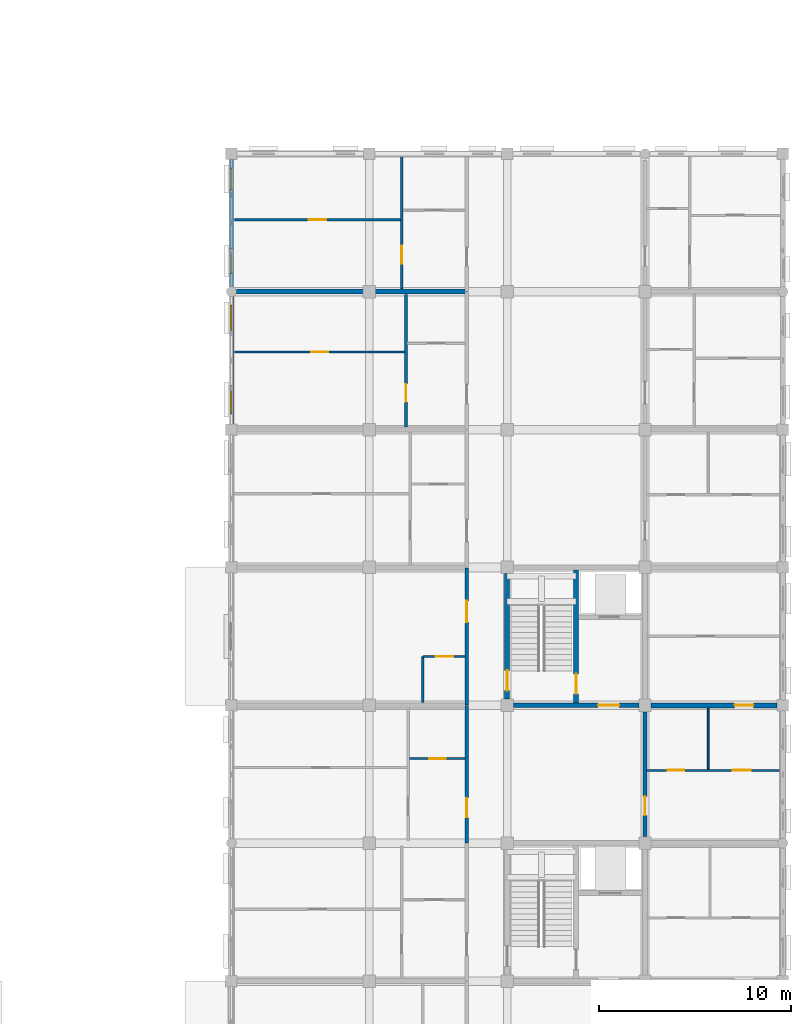
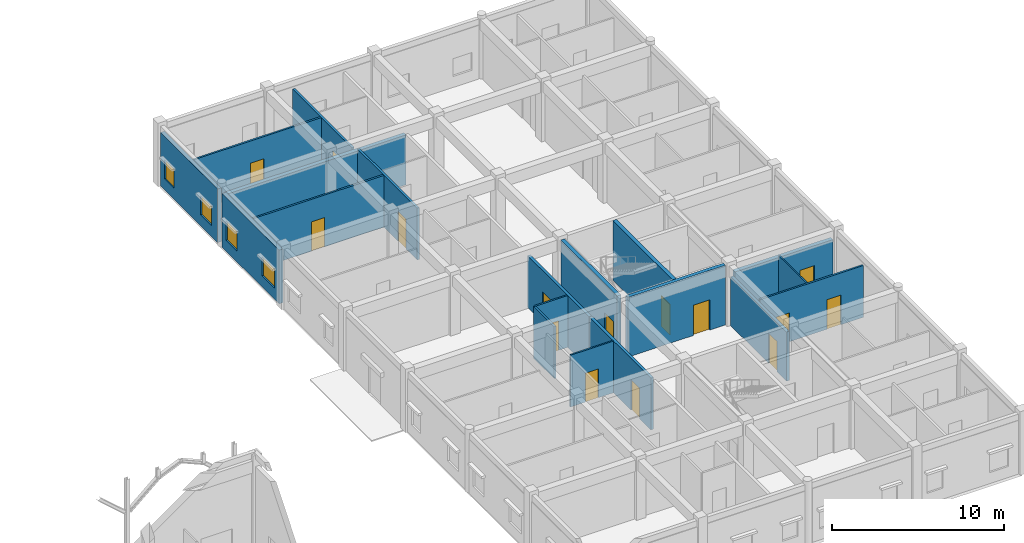
# One storey, part 112 of 138: 19 walls, 15 doors, 4 windows, 19 openings.
"""IFC4 building model written with IfcOpenShell, lengths in metres."""

from ifc_helpers import new_model, si_unit, direction, frame, frame_2d, origin, place, context, subcontext, project, spatial, rectangle, extrude, material, layer, layer_set, type_object, element, fill, save


model = new_model("IFC4")

# Units and contexts
model_context = context("Model", 3, precision=1e-05, world=origin(), true_north=direction((0.0, 1.0)))
body_context = subcontext(model_context, "Body", "Model", "MODEL_VIEW")
ifc_project = project(units=[si_unit("LENGTHUNIT", "METRE"), si_unit("AREAUNIT", "SQUARE_METRE"), si_unit("VOLUMEUNIT", "CUBIC_METRE"), si_unit("PLANEANGLEUNIT", "RADIAN"), si_unit("MASSUNIT", "GRAM", prefix="KILO"), si_unit("THERMODYNAMICTEMPERATUREUNIT", "KELVIN"), si_unit("POWERUNIT", "WATT")], contexts=[model_context])

# Site, building, storey
site_placement = place(None, origin())
site = spatial("IfcSite", under=ifc_project, at=site_placement, CompositionType="ELEMENT")
building_placement = place(site_placement, origin())
building = spatial("IfcBuilding", under=site, at=building_placement, Name="Tavuni Mirador Residences", CompositionType="ELEMENT")
storey_placement = place(building_placement, origin())
storey = spatial("IfcBuildingStorey", under=building, at=storey_placement, Name="L00", CompositionType="ELEMENT", Elevation=0.0)

# Wall, opening, door
ifc_material_1 = material(Name="Precast concrete C40/50", Category="concrete")
ifc_layer_1 = layer(ifc_material_1, 0.25, Name="Precast concrete C40/50", Category="concrete")
ifc_layer_set_1 = layer_set([ifc_layer_1], Name="Precast concrete C40/50")
wall_type_1 = type_object("IfcWallType", Name="WT-COR250", PredefinedType="SHEAR", material=ifc_layer_set_1)
wall_1_placement = place(storey_placement, frame((104.39990234375, 108.324951171875, 0.0), z_axis=(0.0, 0.0, 1.0), x_axis=(0.0, 1.0, 0.0)))
wall_1 = element("IfcWall", 1, at=wall_1_placement, inside=storey, type_object=wall_type_1, Name="CWALL-C8-L00-W", PredefinedType="SHEAR", context=body_context, shape_type="SweptSolid", body=[
    extrude(rectangle(XDim=6.550048828125, YDim=0.25, at=frame_2d((3.27490234375, 0.0))), origin(), (0.0, 0.0, 1.0), 4.239990234375),
])
opening_1_placement = place(wall_1_placement, frame((0.449951171875, 0.0, 0.0)))
opening_1 = element("IfcOpeningElement", 2, at=opening_1_placement, cuts=wall_1, Name="Opening D-01", PredefinedType="OPENING", context=body_context, shape_type="SweptSolid", body=[
    extrude(rectangle(XDim=1.050048828125, YDim=2.14990234375, at=frame_2d((0.52490234375, 1.074951171875))), frame((0.0, 0.135009765625, 0.0), z_axis=(0.0, -1.0, 0.0), x_axis=(1.0, 0.0, 0.0)), (0.0, 0.0, 1.0), 0.27001953125),
])
ifc_material_2 = material(Name="Solid core iroko timber", Category="wood")
door_type_1 = type_object("IfcDoorType", Name="DT-ST1050", OperationType="NOTDEFINED", PredefinedType="DOOR", material=ifc_material_2)
door_1_placement = place(opening_1_placement, origin())
door_1 = element("IfcDoor", 3, at=door_1_placement, inside=storey, type_object=door_type_1, Name="DR-2313", OperationType="SINGLE_SWING_RIGHT", OverallHeight=2.14990234375, OverallWidth=1.050048828125, PredefinedType="DOOR", context=body_context, shape_type="SweptSolid", body=[
    extrude(rectangle(XDim=1.050048828125, YDim=2.14990234375, at=frame_2d((0.52490234375, 1.074951171875))), frame((0.0, 0.02490234375, 0.0), z_axis=(0.0, -1.0, 0.0), x_axis=(1.0, 0.0, 0.0)), (0.0, 0.0, 1.0), 0.050048828125),
])
fill(opening_1, door_1)

wall_2_placement = place(storey_placement, frame((104.72509765625, 108.0, 0.0), z_axis=(0.0, 0.0, 1.0), x_axis=(1.0, 0.0, 0.0)))
wall_2 = element("IfcWall", 4, at=wall_2_placement, inside=storey, type_object=wall_type_1, Name="CWALL-C8-L00-SS", PredefinedType="SHEAR", context=body_context, shape_type="SweptSolid", body=[
    extrude(rectangle(XDim=6.5498046875, YDim=0.25, at=frame_2d((3.27490234375, 0.0))), origin(), (0.0, 0.0, 1.0), 4.239990234375),
])
opening_2_placement = place(wall_2_placement, frame((4.425048828125, 0.0, 0.0)))
opening_2 = element("IfcOpeningElement", 5, at=opening_2_placement, cuts=wall_2, Name="Opening D-02", PredefinedType="OPENING", context=body_context, shape_type="SweptSolid", body=[
    extrude(rectangle(XDim=1.10009765625, YDim=2.14990234375, at=frame_2d((0.550048828125, 1.074951171875))), frame((0.0, 0.135009765625, 0.0), z_axis=(0.0, -1.0, 0.0), x_axis=(1.0, 0.0, 0.0)), (0.0, 0.0, 1.0), 0.27001953125),
])
door_type_2 = type_object("IfcDoorType", Name="DT-LOB1100", OperationType="NOTDEFINED", PredefinedType="DOOR", material=ifc_material_2)
door_2_placement = place(opening_2_placement, frame((1.10009765625, 0.0, 0.0), z_axis=(0.0, 0.0, 1.0), x_axis=(-1.0, 0.0, 0.0)))
door_2 = element("IfcDoor", 6, at=door_2_placement, inside=storey, type_object=door_type_2, Name="DR-2314", OperationType="SINGLE_SWING_RIGHT", OverallHeight=2.14990234375, OverallWidth=1.10009765625, PredefinedType="DOOR", context=body_context, shape_type="SweptSolid", body=[
    extrude(rectangle(XDim=1.10009765625, YDim=2.14990234375, at=frame_2d((0.550048828125, 1.074951171875))), frame((0.0, 0.02490234375, 0.0), z_axis=(0.0, -1.0, 0.0), x_axis=(1.0, 0.0, 0.0)), (0.0, 0.0, 1.0), 0.050048828125),
])
fill(opening_2, door_2)

wall_3_placement = place(storey_placement, frame((108.0, 108.125, 0.0), z_axis=(0.0, 0.0, 1.0), x_axis=(0.0, 1.0, 0.0)))
wall_3 = element("IfcWall", 7, at=wall_3_placement, inside=storey, type_object=wall_type_1, Name="CWALL-C8-L00-MID", PredefinedType="SHEAR", context=body_context, shape_type="SweptSolid", body=[
    extrude(rectangle(XDim=6.949951171875, YDim=0.25, at=frame_2d((3.47509765625, 0.0))), origin(), (0.0, 0.0, 1.0), 4.239990234375),
])
opening_3_placement = place(wall_3_placement, frame((0.47509765625, 0.0, 0.0)))
opening_3 = element("IfcOpeningElement", 8, at=opening_3_placement, cuts=wall_3, Name="Opening D-01", PredefinedType="OPENING", context=body_context, shape_type="SweptSolid", body=[
    extrude(rectangle(XDim=1.050048828125, YDim=2.14990234375, at=frame_2d((0.52490234375, 1.074951171875))), frame((0.0, 0.135009765625, 0.0), z_axis=(0.0, -1.0, 0.0), x_axis=(1.0, 0.0, 0.0)), (0.0, 0.0, 1.0), 0.27001953125),
])
door_3_placement = place(opening_3_placement, frame((1.050048828125, 0.0, 0.0), z_axis=(0.0, 0.0, 1.0), x_axis=(-1.0, 0.0, 0.0)))
door_3 = element("IfcDoor", 9, at=door_3_placement, inside=storey, type_object=door_type_1, Name="DR-2315", OperationType="SINGLE_SWING_LEFT", OverallHeight=2.14990234375, OverallWidth=1.050048828125, PredefinedType="DOOR", context=body_context, shape_type="SweptSolid", body=[
    extrude(rectangle(XDim=1.050048828125, YDim=2.14990234375, at=frame_2d((0.52490234375, 1.074951171875))), frame((0.0, 0.02490234375, 0.0), z_axis=(0.0, -1.0, 0.0), x_axis=(1.0, 0.0, 0.0)), (0.0, 0.0, 1.0), 0.050048828125),
])
fill(opening_3, door_3)

ifc_layer_2 = layer(ifc_material_1, 0.18505859375, Name="Precast concrete C40/50", Category="concrete")
ifc_layer_set_2 = layer_set([ifc_layer_2], Name="Precast concrete C40/50")
wall_type_2 = type_object("IfcWallType", Name="WT-CORR185", PredefinedType="PARTITIONING", material=ifc_layer_set_2)
wall_4_placement = place(storey_placement, frame((102.300048828125, 100.820068359375, 0.0), z_axis=(0.0, 0.0, 1.0), x_axis=(0.0, 1.0, 0.0)))
wall_4 = element("IfcWall", 10, at=wall_4_placement, inside=storey, type_object=wall_type_2, Name="CORW-BLK-D-L00-0-02", PredefinedType="PARTITIONING", context=body_context, shape_type="SweptSolid", body=[
    extrude(rectangle(XDim=7.159912109375, YDim=0.18505859375, at=frame_2d((3.580078125, 0.0))), origin(), (0.0, 0.0, 1.0), 3.675048828125),
])
opening_4_placement = place(wall_4_placement, frame((1.330078125, 0.0, 0.0)))
opening_4 = element("IfcOpeningElement", 11, at=opening_4_placement, cuts=wall_4, Name="Opening D-03", PredefinedType="OPENING", context=body_context, shape_type="SweptSolid", body=[
    extrude(rectangle(XDim=1.0, YDim=2.14990234375, at=frame_2d((0.5, 1.074951171875))), frame((0.0, 0.1025390625, 0.0), z_axis=(0.0, -1.0, 0.0), x_axis=(1.0, 0.0, 0.0)), (0.0, 0.0, 1.0), 0.205078125),
])
door_type_3 = type_object("IfcDoorType", Name="DT-FD60-1000", OperationType="NOTDEFINED", PredefinedType="DOOR", material=ifc_material_2)
door_4_placement = place(opening_4_placement, origin())
door_4 = element("IfcDoor", 12, at=door_4_placement, inside=storey, type_object=door_type_3, Name="DR-2811", OperationType="SINGLE_SWING_RIGHT", OverallHeight=2.14990234375, OverallWidth=1.0, PredefinedType="DOOR", context=body_context, shape_type="SweptSolid", body=[
    extrude(rectangle(XDim=1.0, YDim=2.14990234375, at=frame_2d((0.5, 1.074951171875))), frame((0.0, 0.02490234375, 0.0), z_axis=(0.0, -1.0, 0.0), x_axis=(1.0, 0.0, 0.0)), (0.0, 0.0, 1.0), 0.050048828125),
])
fill(opening_4, door_4)

wall_5_placement = place(storey_placement, frame((102.300048828125, 108.02001953125, 0.0), z_axis=(0.0, 0.0, 1.0), x_axis=(0.0, 1.0, 0.0)))
wall_5 = element("IfcWall", 13, at=wall_5_placement, inside=storey, type_object=wall_type_2, Name="CORW-BLK-D-L00-0-03", PredefinedType="PARTITIONING", context=body_context, shape_type="SweptSolid", body=[
    extrude(rectangle(XDim=7.159912109375, YDim=0.18505859375, at=frame_2d((3.580078125, 0.0))), origin(), (0.0, 0.0, 1.0), 3.675048828125),
])
opening_5_placement = place(wall_5_placement, frame((4.330078125, 0.0, 0.0)))
opening_5 = element("IfcOpeningElement", 14, at=opening_5_placement, cuts=wall_5, Name="Opening D-02", PredefinedType="OPENING", context=body_context, shape_type="SweptSolid", body=[
    extrude(rectangle(XDim=1.10009765625, YDim=2.14990234375, at=frame_2d((0.550048828125, 1.074951171875))), frame((0.0, 0.1025390625, 0.0), z_axis=(0.0, -1.0, 0.0), x_axis=(1.0, 0.0, 0.0)), (0.0, 0.0, 1.0), 0.205078125),
])
door_5_placement = place(opening_5_placement, origin())
door_5 = element("IfcDoor", 15, at=door_5_placement, inside=storey, type_object=door_type_2, Name="DR-2812", OperationType="SINGLE_SWING_LEFT", OverallHeight=2.14990234375, OverallWidth=1.10009765625, PredefinedType="DOOR", context=body_context, shape_type="SweptSolid", body=[
    extrude(rectangle(XDim=1.10009765625, YDim=2.14990234375, at=frame_2d((0.550048828125, 1.074951171875))), frame((0.0, 0.02490234375, 0.0), z_axis=(0.0, -1.0, 0.0), x_axis=(1.0, 0.0, 0.0)), (0.0, 0.0, 1.0), 0.050048828125),
])
fill(opening_5, door_5)

wall_6_placement = place(storey_placement, frame((111.60009765625, 101.14990234375, 0.0), z_axis=(0.0, 0.0, 1.0), x_axis=(0.0, 1.0, 0.0)))
wall_6 = element("IfcWall", 16, at=wall_6_placement, inside=storey, type_object=wall_type_2, Name="CORW-BLK-D-L00-1-02", PredefinedType="PARTITIONING", context=body_context, shape_type="SweptSolid", body=[
    extrude(rectangle(XDim=6.5, YDim=0.18505859375, at=frame_2d((3.25, 0.0))), origin(), (0.0, 0.0, 1.0), 3.489990234375),
])
opening_6_placement = place(wall_6_placement, frame((1.10009765625, 0.0, 0.0)))
opening_6 = element("IfcOpeningElement", 17, at=opening_6_placement, cuts=wall_6, Name="Opening D-03", PredefinedType="OPENING", context=body_context, shape_type="SweptSolid", body=[
    extrude(rectangle(XDim=1.0, YDim=2.14990234375, at=frame_2d((0.5, 1.074951171875))), frame((0.0, 0.1025390625, 0.0), z_axis=(0.0, -1.0, 0.0), x_axis=(1.0, 0.0, 0.0)), (0.0, 0.0, 1.0), 0.205078125),
])
door_6_placement = place(opening_6_placement, origin())
door_6 = element("IfcDoor", 18, at=door_6_placement, inside=storey, type_object=door_type_3, Name="DR-2817", OperationType="SINGLE_SWING_RIGHT", OverallHeight=2.14990234375, OverallWidth=1.0, PredefinedType="DOOR", context=body_context, shape_type="SweptSolid", body=[
    extrude(rectangle(XDim=1.0, YDim=2.14990234375, at=frame_2d((0.5, 1.074951171875))), frame((0.0, 0.02490234375, 0.0), z_axis=(0.0, -1.0, 0.0), x_axis=(1.0, 0.0, 0.0)), (0.0, 0.0, 1.0), 0.050048828125),
])
fill(opening_6, door_6)

# Wall, openings, windows
ifc_material_3 = material(Name="Sgraffito lime-rendered precast concrete C40/50", Category="concrete")
ifc_layer_3 = layer(ifc_material_3, 0.2451171875, Name="Sgraffito lime-rendered precast concrete C40/50", Category="concrete")
ifc_layer_set_3 = layer_set([ifc_layer_3], Name="Sgraffito lime-rendered precast concrete C40/50")
wall_type_3 = type_object("IfcWallType", Name="WT-EXT-PC245", PredefinedType="SOLIDWALL", material=ifc_layer_set_3)
wall_7_placement = place(storey_placement, frame((90.0, 136.5, 0.0), z_axis=(0.0, 0.0, 1.0), x_axis=(0.0, -1.0, 0.0)))
wall_7 = element("IfcWall", 19, at=wall_7_placement, inside=storey, type_object=wall_type_3, Name="EW-BLK-D-L00-W06", PredefinedType="SOLIDWALL", context=body_context, shape_type="SweptSolid", body=[
    extrude(rectangle(XDim=6.639892578125, YDim=0.2451171875, at=frame_2d((3.31982421875, 0.0))), origin(), (0.0, 0.0, 1.0), 3.81005859375),
])
opening_7_placement = place(wall_7_placement, frame((0.449951171875, 0.0, 0.780029296875)))
opening_7 = element("IfcOpeningElement", 20, at=opening_7_placement, cuts=wall_7, Name="Opening WN-20", PredefinedType="OPENING", context=body_context, shape_type="SweptSolid", body=[
    extrude(rectangle(XDim=1.139892578125, YDim=1.360107421875, at=frame_2d((0.56982421875, 0.68017578125))), frame((0.0, 0.132568359375, 0.0), z_axis=(0.0, -1.0, 0.0), x_axis=(1.0, 0.0, 0.0)), (0.0, 0.0, 1.0), 0.26513671875),
])
opening_8_placement = place(wall_7_placement, frame((4.64990234375, 0.0, 0.780029296875)))
opening_8 = element("IfcOpeningElement", 21, at=opening_8_placement, cuts=wall_7, Name="Opening WN-22", PredefinedType="OPENING", context=body_context, shape_type="SweptSolid", body=[
    extrude(rectangle(XDim=1.300048828125, YDim=1.360107421875, at=frame_2d((0.64990234375, 0.68017578125))), frame((0.0, 0.132568359375, 0.0), z_axis=(0.0, -1.0, 0.0), x_axis=(1.0, 0.0, 0.0)), (0.0, 0.0, 1.0), 0.26513671875),
])
ifc_material_4 = material(Name="Laminated solar-control glass", Category="glass")
window_type_1 = type_object("IfcWindowType", Name="WNT-20", PartitioningType="SINGLE_PANEL", PredefinedType="WINDOW", material=ifc_material_4)
window_1_placement = place(opening_7_placement, origin())
window_1 = element("IfcWindow", 22, at=window_1_placement, inside=storey, type_object=window_type_1, Name="WIN-1429", OverallHeight=1.360107421875, OverallWidth=1.139892578125, PartitioningType="SINGLE_PANEL", PredefinedType="WINDOW", context=body_context, shape_type="SweptSolid", body=[
    extrude(rectangle(XDim=1.139892578125, YDim=1.360107421875, at=frame_2d((0.56982421875, 0.68017578125))), frame((0.0, 0.030029296875, 0.0), z_axis=(0.0, -1.0, 0.0), x_axis=(1.0, 0.0, 0.0)), (0.0, 0.0, 1.0), 0.06005859375),
])
fill(opening_7, window_1)
window_type_2 = type_object("IfcWindowType", Name="WNT-22", PartitioningType="SINGLE_PANEL", PredefinedType="WINDOW", material=ifc_material_4)
window_2_placement = place(opening_8_placement, origin())
window_2 = element("IfcWindow", 23, at=window_2_placement, inside=storey, type_object=window_type_2, Name="WIN-1430", OverallHeight=1.360107421875, OverallWidth=1.300048828125, PartitioningType="SINGLE_PANEL", PredefinedType="WINDOW", context=body_context, shape_type="SweptSolid", body=[
    extrude(rectangle(XDim=1.300048828125, YDim=1.360107421875, at=frame_2d((0.64990234375, 0.68017578125))), frame((0.0, 0.030029296875, 0.0), z_axis=(0.0, -1.0, 0.0), x_axis=(1.0, 0.0, 0.0)), (0.0, 0.0, 1.0), 0.06005859375),
])
fill(opening_8, window_2)

ifc_layer_4 = layer(ifc_material_3, 0.2548828125, Name="Sgraffito lime-rendered precast concrete C40/50", Category="concrete")
ifc_layer_set_4 = layer_set([ifc_layer_4], Name="Sgraffito lime-rendered precast concrete C40/50")
wall_type_4 = type_object("IfcWallType", Name="WT-EXT-PC255", PredefinedType="SOLIDWALL", material=ifc_layer_set_4)
wall_8_placement = place(storey_placement, frame((90.0, 129.340087890625, 0.0), z_axis=(0.0, 0.0, 1.0), x_axis=(0.0, -1.0, 0.0)))
wall_8 = element("IfcWall", 24, at=wall_8_placement, inside=storey, type_object=wall_type_4, Name="EW-BLK-D-L00-W05", PredefinedType="SOLIDWALL", context=body_context, shape_type="SweptSolid", body=[
    extrude(rectangle(XDim=6.64013671875, YDim=0.2548828125, at=frame_2d((3.320068359375, 0.0))), origin(), (0.0, 0.0, 1.0), 3.81005859375),
])
opening_9_placement = place(wall_8_placement, frame((0.449951171875, 0.0, 0.780029296875)))
opening_9 = element("IfcOpeningElement", 25, at=opening_9_placement, cuts=wall_8, Name="Opening WN-22", PredefinedType="OPENING", context=body_context, shape_type="SweptSolid", body=[
    extrude(rectangle(XDim=1.300048828125, YDim=1.360107421875, at=frame_2d((0.64990234375, 0.68017578125))), frame((0.0, 0.137451171875, 0.0), z_axis=(0.0, -1.0, 0.0), x_axis=(1.0, 0.0, 0.0)), (0.0, 0.0, 1.0), 0.27490234375),
])
opening_10_placement = place(wall_8_placement, frame((4.64990234375, 0.0, 0.780029296875)))
opening_10 = element("IfcOpeningElement", 26, at=opening_10_placement, cuts=wall_8, Name="Opening WN-24", PredefinedType="OPENING", context=body_context, shape_type="SweptSolid", body=[
    extrude(rectangle(XDim=1.4599609375, YDim=1.360107421875, at=frame_2d((0.72998046875, 0.68017578125))), frame((0.0, 0.137451171875, 0.0), z_axis=(0.0, -1.0, 0.0), x_axis=(1.0, 0.0, 0.0)), (0.0, 0.0, 1.0), 0.27490234375),
])
window_3_placement = place(opening_9_placement, origin())
window_3 = element("IfcWindow", 27, at=window_3_placement, inside=storey, type_object=window_type_2, Name="WIN-1431", OverallHeight=1.360107421875, OverallWidth=1.300048828125, PartitioningType="SINGLE_PANEL", PredefinedType="WINDOW", context=body_context, shape_type="SweptSolid", body=[
    extrude(rectangle(XDim=1.300048828125, YDim=1.360107421875, at=frame_2d((0.64990234375, 0.68017578125))), frame((0.0, 0.030029296875, 0.0), z_axis=(0.0, -1.0, 0.0), x_axis=(1.0, 0.0, 0.0)), (0.0, 0.0, 1.0), 0.06005859375),
])
fill(opening_9, window_3)
window_type_3 = type_object("IfcWindowType", Name="WNT-24", PartitioningType="SINGLE_PANEL", PredefinedType="WINDOW", material=ifc_material_4)
window_4_placement = place(opening_10_placement, origin())
window_4 = element("IfcWindow", 28, at=window_4_placement, inside=storey, type_object=window_type_3, Name="WIN-1432", OverallHeight=1.360107421875, OverallWidth=1.4599609375, PartitioningType="SINGLE_PANEL", PredefinedType="WINDOW", context=body_context, shape_type="SweptSolid", body=[
    extrude(rectangle(XDim=1.4599609375, YDim=1.360107421875, at=frame_2d((0.72998046875, 0.68017578125))), frame((0.0, 0.030029296875, 0.0), z_axis=(0.0, -1.0, 0.0), x_axis=(1.0, 0.0, 0.0)), (0.0, 0.0, 1.0), 0.06005859375),
])
fill(opening_10, window_4)

# Wall
ifc_material_5 = material(Name="Acoustic gypsum and concrete block partition", Category="concrete")
ifc_layer_5 = layer(ifc_material_5, 0.094970703125, Name="Acoustic gypsum and concrete block partition", Category="concrete")
ifc_layer_set_5 = layer_set([ifc_layer_5], Name="Acoustic gypsum and concrete block partition")
wall_type_5 = type_object("IfcWallType", Name="WT-PART095", PredefinedType="PARTITIONING", material=ifc_layer_set_5)
wall_9_placement = place(storey_placement, frame((114.89990234375, 104.669921875, 0.0), z_axis=(0.0, 0.0, 1.0), x_axis=(0.0, 1.0, 0.0)))
element("IfcWall", 29, at=wall_9_placement, inside=storey, type_object=wall_type_5, Name="PW-BLK-D-L00-PF02-V", PredefinedType="PARTITIONING", context=body_context, shape_type="SweptSolid", body=[
    extrude(rectangle(XDim=3.190185546875, YDim=0.094970703125, at=frame_2d((1.59521484375, 0.0))), origin(), (0.0, 0.0, 1.0), 3.675048828125),
])

# Wall, opening, door
ifc_layer_6 = layer(ifc_material_5, 0.10498046875, Name="Acoustic gypsum and concrete block partition", Category="concrete")
ifc_layer_set_6 = layer_set([ifc_layer_6], Name="Acoustic gypsum and concrete block partition")
wall_type_6 = type_object("IfcWallType", Name="WT-PART105", PredefinedType="PARTITIONING", material=ifc_layer_set_6)
wall_10_placement = place(storey_placement, frame((99.31005859375, 105.219970703125, 0.0), z_axis=(0.0, 0.0, 1.0), x_axis=(1.0, 0.0, 0.0)))
wall_10 = element("IfcWall", 30, at=wall_10_placement, inside=storey, type_object=wall_type_6, Name="PW-BLK-D-L00-W02-IN1", PredefinedType="PARTITIONING", context=body_context, shape_type="SweptSolid", body=[
    extrude(rectangle(XDim=2.89990234375, YDim=0.10498046875, at=frame_2d((1.449951171875, 0.0))), origin(), (0.0, 0.0, 1.0), 3.675048828125),
])
opening_11_placement = place(wall_10_placement, frame((1.014892578125, 0.0, 0.0)))
opening_11 = element("IfcOpeningElement", 31, at=opening_11_placement, cuts=wall_10, Name="Opening D-10", PredefinedType="OPENING", context=body_context, shape_type="SweptSolid", body=[
    extrude(rectangle(XDim=0.8701171875, YDim=2.050048828125, at=frame_2d((0.43505859375, 1.02490234375))), frame((0.0, 0.0625, 0.0), z_axis=(0.0, -1.0, 0.0), x_axis=(1.0, 0.0, 0.0)), (0.0, 0.0, 1.0), 0.125),
])
door_type_4 = type_object("IfcDoorType", Name="DT-WC870", OperationType="NOTDEFINED", PredefinedType="DOOR", material=ifc_material_2)
door_7_placement = place(opening_11_placement, origin())
door_7 = element("IfcDoor", 32, at=door_7_placement, inside=storey, type_object=door_type_4, Name="DR-4290", OperationType="SINGLE_SWING_LEFT", OverallHeight=2.050048828125, OverallWidth=0.8701171875, PredefinedType="DOOR", context=body_context, shape_type="SweptSolid", body=[
    extrude(rectangle(XDim=0.8701171875, YDim=2.050048828125, at=frame_2d((0.43505859375, 1.02490234375))), frame((0.0, 0.02490234375, 0.0), z_axis=(0.0, -1.0, 0.0), x_axis=(1.0, 0.0, 0.0)), (0.0, 0.0, 1.0), 0.050048828125),
])
fill(opening_11, door_7)

ifc_layer_7 = layer(ifc_material_5, 0.114990234375, Name="Acoustic gypsum and concrete block partition", Category="concrete")
ifc_layer_set_7 = layer_set([ifc_layer_7], Name="Acoustic gypsum and concrete block partition")
wall_type_7 = type_object("IfcWallType", Name="WT-PART115", PredefinedType="PARTITIONING", material=ifc_layer_set_7)
wall_11_placement = place(storey_placement, frame((100.0, 110.550048828125, 0.0), z_axis=(0.0, 0.0, 1.0), x_axis=(1.0, 0.0, 0.0)))
wall_11 = element("IfcWall", 33, at=wall_11_placement, inside=storey, type_object=wall_type_7, Name="PW-BLK-D-L00-W03-2", PredefinedType="PARTITIONING", context=body_context, shape_type="SweptSolid", body=[
    extrude(rectangle(XDim=2.2099609375, YDim=0.114990234375, at=frame_2d((1.10498046875, 0.0))), origin(), (0.0, 0.0, 1.0), 3.675048828125),
])
opening_12_placement = place(wall_11_placement, frame((0.679931640625, 0.0, 0.0)))
opening_12 = element("IfcOpeningElement", 34, at=opening_12_placement, cuts=wall_11, Name="Opening D-06", PredefinedType="OPENING", context=body_context, shape_type="SweptSolid", body=[
    extrude(rectangle(XDim=0.919921875, YDim=2.10009765625, at=frame_2d((0.4599609375, 1.050048828125))), frame((0.0, 0.0673828125, 0.0), z_axis=(0.0, -1.0, 0.0), x_axis=(1.0, 0.0, 0.0)), (0.0, 0.0, 1.0), 0.135009765625),
])
door_type_5 = type_object("IfcDoorType", Name="DT-INT920", OperationType="NOTDEFINED", PredefinedType="DOOR", material=ifc_material_2)
door_8_placement = place(opening_12_placement, origin())
door_8 = element("IfcDoor", 35, at=door_8_placement, inside=storey, type_object=door_type_5, Name="DR-4294", OperationType="SINGLE_SWING_RIGHT", OverallHeight=2.10009765625, OverallWidth=0.919921875, PredefinedType="DOOR", context=body_context, shape_type="SweptSolid", body=[
    extrude(rectangle(XDim=0.919921875, YDim=2.10009765625, at=frame_2d((0.4599609375, 1.050048828125))), frame((0.0, 0.02490234375, 0.0), z_axis=(0.0, -1.0, 0.0), x_axis=(1.0, 0.0, 0.0)), (0.0, 0.0, 1.0), 0.050048828125),
])
fill(opening_12, door_8)

# Wall, openings, doors
ifc_layer_8 = layer(ifc_material_5, 0.125, Name="Acoustic gypsum and concrete block partition", Category="concrete")
ifc_layer_set_8 = layer_set([ifc_layer_8], Name="Acoustic gypsum and concrete block partition")
wall_type_8 = type_object("IfcWallType", Name="WT-PART125", PredefinedType="PARTITIONING", material=ifc_layer_set_8)
wall_12_placement = place(storey_placement, frame((111.68994140625, 104.60009765625, 0.0), z_axis=(0.0, 0.0, 1.0), x_axis=(1.0, 0.0, 0.0)))
wall_12 = element("IfcWall", 36, at=wall_12_placement, inside=storey, type_object=wall_type_8, Name="PW-BLK-D-L00-PF02-H", PredefinedType="PARTITIONING", context=body_context, shape_type="SweptSolid", body=[
    extrude(rectangle(XDim=6.93505859375, YDim=0.125, at=frame_2d((3.467529296875, 0.0))), origin(), (0.0, 0.0, 1.0), 3.675048828125),
])
opening_13_placement = place(wall_12_placement, frame((1.10009765625, 0.0, 0.0)))
opening_13 = element("IfcOpeningElement", 37, at=opening_13_placement, cuts=wall_12, Name="Opening D-10", PredefinedType="OPENING", context=body_context, shape_type="SweptSolid", body=[
    extrude(rectangle(XDim=0.8701171875, YDim=2.050048828125, at=frame_2d((0.43505859375, 1.02490234375))), frame((0.0, 0.072509765625, 0.0), z_axis=(0.0, -1.0, 0.0), x_axis=(1.0, 0.0, 0.0)), (0.0, 0.0, 1.0), 0.14501953125),
])
opening_14_placement = place(wall_12_placement, frame((4.5, 0.0, 0.0)))
opening_14 = element("IfcOpeningElement", 38, at=opening_14_placement, cuts=wall_12, Name="Opening D-06", PredefinedType="OPENING", context=body_context, shape_type="SweptSolid", body=[
    extrude(rectangle(XDim=0.919921875, YDim=2.10009765625, at=frame_2d((0.4599609375, 1.050048828125))), frame((0.0, 0.072509765625, 0.0), z_axis=(0.0, -1.0, 0.0), x_axis=(1.0, 0.0, 0.0)), (0.0, 0.0, 1.0), 0.14501953125),
])
door_9_placement = place(opening_14_placement, origin())
door_9 = element("IfcDoor", 39, at=door_9_placement, inside=storey, type_object=door_type_5, Name="DR-4293", OperationType="SINGLE_SWING_RIGHT", OverallHeight=2.10009765625, OverallWidth=0.919921875, PredefinedType="DOOR", context=body_context, shape_type="SweptSolid", body=[
    extrude(rectangle(XDim=0.919921875, YDim=2.10009765625, at=frame_2d((0.4599609375, 1.050048828125))), frame((0.0, 0.02490234375, 0.0), z_axis=(0.0, -1.0, 0.0), x_axis=(1.0, 0.0, 0.0)), (0.0, 0.0, 1.0), 0.050048828125),
])
fill(opening_14, door_9)
door_10_placement = place(opening_13_placement, origin())
door_10 = element("IfcDoor", 40, at=door_10_placement, inside=storey, type_object=door_type_4, Name="DR-4292", OperationType="SINGLE_SWING_LEFT", OverallHeight=2.050048828125, OverallWidth=0.8701171875, PredefinedType="DOOR", context=body_context, shape_type="SweptSolid", body=[
    extrude(rectangle(XDim=0.8701171875, YDim=2.050048828125, at=frame_2d((0.43505859375, 1.02490234375))), frame((0.0, 0.02490234375, 0.0), z_axis=(0.0, -1.0, 0.0), x_axis=(1.0, 0.0, 0.0)), (0.0, 0.0, 1.0), 0.050048828125),
])
fill(opening_13, door_10)

# Wall
wall_13_placement = place(storey_placement, frame((100.0, 108.139892578125, 0.0), z_axis=(0.0, 0.0, 1.0), x_axis=(0.0, 1.0, 0.0)))
element("IfcWall", 41, at=wall_13_placement, inside=storey, type_object=wall_type_8, Name="PW-BLK-D-L00-W03-1", PredefinedType="PARTITIONING", context=body_context, shape_type="SweptSolid", body=[
    extrude(rectangle(XDim=2.41015625, YDim=0.125, at=frame_2d((1.205078125, 0.0))), origin(), (0.0, 0.0, 1.0), 3.675048828125),
])

# Wall, opening, door
wall_14_placement = place(storey_placement, frame((90.175048828125, 126.449951171875, 0.0), z_axis=(0.0, 0.0, 1.0), x_axis=(1.0, 0.0, 0.0)))
wall_14 = element("IfcWall", 42, at=wall_14_placement, inside=storey, type_object=wall_type_8, Name="PW-BLK-D-L00-W05-OUT", PredefinedType="PARTITIONING", context=body_context, shape_type="SweptSolid", body=[
    extrude(rectangle(XDim=8.875, YDim=0.125, at=frame_2d((4.4375, 0.0))), origin(), (0.0, 0.0, 1.0), 3.675048828125),
])
opening_15_placement = place(wall_14_placement, frame((3.99755859375, 0.0, 0.0)))
opening_15 = element("IfcOpeningElement", 43, at=opening_15_placement, cuts=wall_14, Name="Opening D-08", PredefinedType="OPENING", context=body_context, shape_type="SweptSolid", body=[
    extrude(rectangle(XDim=0.8798828125, YDim=2.080078125, at=frame_2d((0.43994140625, 1.0400390625))), frame((0.0, 0.072509765625, 0.0), z_axis=(0.0, -1.0, 0.0), x_axis=(1.0, 0.0, 0.0)), (0.0, 0.0, 1.0), 0.14501953125),
])
door_type_6 = type_object("IfcDoorType", Name="DT-BED880", OperationType="NOTDEFINED", PredefinedType="DOOR", material=ifc_material_2)
door_11_placement = place(opening_15_placement, origin())
door_11 = element("IfcDoor", 44, at=door_11_placement, inside=storey, type_object=door_type_6, Name="DR-4301", OperationType="SINGLE_SWING_RIGHT", OverallHeight=2.080078125, OverallWidth=0.8798828125, PredefinedType="DOOR", context=body_context, shape_type="SweptSolid", body=[
    extrude(rectangle(XDim=0.8798828125, YDim=2.080078125, at=frame_2d((0.43994140625, 1.0400390625))), frame((0.0, 0.02490234375, 0.0), z_axis=(0.0, -1.0, 0.0), x_axis=(1.0, 0.0, 0.0)), (0.0, 0.0, 1.0), 0.050048828125),
])
fill(opening_15, door_11)

wall_15_placement = place(storey_placement, frame((90.175048828125, 133.35009765625, 0.0), z_axis=(0.0, 0.0, 1.0), x_axis=(1.0, 0.0, 0.0)))
wall_15 = element("IfcWall", 45, at=wall_15_placement, inside=storey, type_object=wall_type_8, Name="PW-BLK-D-L00-W06-OUT", PredefinedType="PARTITIONING", context=body_context, shape_type="SweptSolid", body=[
    extrude(rectangle(XDim=8.655029296875, YDim=0.125, at=frame_2d((4.32763671875, 0.0))), origin(), (0.0, 0.0, 1.0), 3.675048828125),
])
opening_16_placement = place(wall_15_placement, frame((3.87744140625, 0.0, 0.0)))
opening_16 = element("IfcOpeningElement", 46, at=opening_16_placement, cuts=wall_15, Name="Opening D-07", PredefinedType="OPENING", context=body_context, shape_type="SweptSolid", body=[
    extrude(rectangle(XDim=0.89990234375, YDim=2.10009765625, at=frame_2d((0.449951171875, 1.050048828125))), frame((0.0, 0.072509765625, 0.0), z_axis=(0.0, -1.0, 0.0), x_axis=(1.0, 0.0, 0.0)), (0.0, 0.0, 1.0), 0.14501953125),
])
door_type_7 = type_object("IfcDoorType", Name="DT-BED900", OperationType="NOTDEFINED", PredefinedType="DOOR", material=ifc_material_2)
door_12_placement = place(opening_16_placement, origin())
door_12 = element("IfcDoor", 47, at=door_12_placement, inside=storey, type_object=door_type_7, Name="DR-4307", OperationType="SINGLE_SWING_LEFT", OverallHeight=2.10009765625, OverallWidth=0.89990234375, PredefinedType="DOOR", context=body_context, shape_type="SweptSolid", body=[
    extrude(rectangle(XDim=0.89990234375, YDim=2.10009765625, at=frame_2d((0.449951171875, 1.050048828125))), frame((0.0, 0.02490234375, 0.0), z_axis=(0.0, -1.0, 0.0), x_axis=(1.0, 0.0, 0.0)), (0.0, 0.0, 1.0), 0.050048828125),
])
fill(opening_16, door_12)

ifc_layer_9 = layer(ifc_material_5, 0.14990234375, Name="Acoustic gypsum and concrete block partition", Category="concrete")
ifc_layer_set_9 = layer_set([ifc_layer_9], Name="Acoustic gypsum and concrete block partition")
wall_type_9 = type_object("IfcWallType", Name="WT-PART150", PredefinedType="PARTITIONING", material=ifc_layer_set_9)
wall_16_placement = place(storey_placement, frame((99.1201171875, 122.5400390625, 0.0), z_axis=(0.0, 0.0, 1.0), x_axis=(0.0, 1.0, 0.0)))
wall_16 = element("IfcWall", 48, at=wall_16_placement, inside=storey, type_object=wall_type_9, Name="PW-BLK-D-L00-W05-MID", PredefinedType="PARTITIONING", context=body_context, shape_type="SweptSolid", body=[
    extrude(rectangle(XDim=6.919921875, YDim=0.14990234375, at=frame_2d((3.4599609375, 0.0))), origin(), (0.0, 0.0, 1.0), 3.675048828125),
])
opening_17_placement = place(wall_16_placement, frame((1.31005859375, 0.0, 0.0)))
opening_17 = element("IfcOpeningElement", 49, at=opening_17_placement, cuts=wall_16, Name="Opening D-06", PredefinedType="OPENING", context=body_context, shape_type="SweptSolid", body=[
    extrude(rectangle(XDim=0.919921875, YDim=2.10009765625, at=frame_2d((0.4599609375, 1.050048828125))), frame((0.0, 0.0849609375, 0.0), z_axis=(0.0, -1.0, 0.0), x_axis=(1.0, 0.0, 0.0)), (0.0, 0.0, 1.0), 0.169921875),
])
door_13_placement = place(opening_17_placement, origin())
door_13 = element("IfcDoor", 50, at=door_13_placement, inside=storey, type_object=door_type_5, Name="DR-4303", OperationType="SINGLE_SWING_RIGHT", OverallHeight=2.10009765625, OverallWidth=0.919921875, PredefinedType="DOOR", context=body_context, shape_type="SweptSolid", body=[
    extrude(rectangle(XDim=0.919921875, YDim=2.10009765625, at=frame_2d((0.4599609375, 1.050048828125))), frame((0.0, 0.02490234375, 0.0), z_axis=(0.0, -1.0, 0.0), x_axis=(1.0, 0.0, 0.0)), (0.0, 0.0, 1.0), 0.050048828125),
])
fill(opening_17, door_13)

wall_17_placement = place(storey_placement, frame((98.89990234375, 129.739990234375, 0.0), z_axis=(0.0, 0.0, 1.0), x_axis=(0.0, 1.0, 0.0)))
wall_17 = element("IfcWall", 51, at=wall_17_placement, inside=storey, type_object=wall_type_9, Name="PW-BLK-D-L00-W06-MID", PredefinedType="PARTITIONING", context=body_context, shape_type="SweptSolid", body=[
    extrude(rectangle(XDim=6.885009765625, YDim=0.14990234375, at=frame_2d((3.4423828125, 0.0))), origin(), (0.0, 0.0, 1.0), 3.675048828125),
])
opening_18_placement = place(wall_17_placement, frame((1.31005859375, 0.0, 0.0)))
opening_18 = element("IfcOpeningElement", 52, at=opening_18_placement, cuts=wall_17, Name="Opening D-05", PredefinedType="OPENING", context=body_context, shape_type="SweptSolid", body=[
    extrude(rectangle(XDim=0.949951171875, YDim=2.10009765625, at=frame_2d((0.47509765625, 1.050048828125))), frame((0.0, 0.0849609375, 0.0), z_axis=(0.0, -1.0, 0.0), x_axis=(1.0, 0.0, 0.0)), (0.0, 0.0, 1.0), 0.169921875),
])
door_type_8 = type_object("IfcDoorType", Name="DT-INT950", OperationType="NOTDEFINED", PredefinedType="DOOR", material=ifc_material_2)
door_14_placement = place(opening_18_placement, origin())
door_14 = element("IfcDoor", 53, at=door_14_placement, inside=storey, type_object=door_type_8, Name="DR-4309", OperationType="SINGLE_SWING_LEFT", OverallHeight=2.10009765625, OverallWidth=0.949951171875, PredefinedType="DOOR", context=body_context, shape_type="SweptSolid", body=[
    extrude(rectangle(XDim=0.949951171875, YDim=2.10009765625, at=frame_2d((0.47509765625, 1.050048828125))), frame((0.0, 0.02490234375, 0.0), z_axis=(0.0, -1.0, 0.0), x_axis=(1.0, 0.0, 0.0)), (0.0, 0.0, 1.0), 0.050048828125),
])
fill(opening_18, door_14)

ifc_layer_10 = layer(ifc_material_1, 0.264892578125, Name="Precast concrete C40/50", Category="concrete")
ifc_layer_set_10 = layer_set([ifc_layer_10], Name="Precast concrete C40/50")
wall_type_10 = type_object("IfcWallType", Name="WT-XW265", PredefinedType="SOLIDWALL", material=ifc_layer_set_10)
wall_18_placement = place(storey_placement, frame((111.925048828125, 108.0, 0.0), z_axis=(0.0, 0.0, 1.0), x_axis=(1.0, 0.0, 0.0)))
wall_18 = element("IfcWall", 54, at=wall_18_placement, inside=storey, type_object=wall_type_10, Name="XW-BLK-D-L00-E-03", PredefinedType="SOLIDWALL", context=body_context, shape_type="SweptSolid", body=[
    extrude(rectangle(XDim=6.574951171875, YDim=0.264892578125, at=frame_2d((3.28759765625, 0.0))), origin(), (0.0, 0.0, 1.0), 3.5400390625),
])
opening_19_placement = place(wall_18_placement, frame((4.35009765625, 0.0, 0.0)))
opening_19 = element("IfcOpeningElement", 55, at=opening_19_placement, cuts=wall_18, Name="Opening D-04", PredefinedType="OPENING", context=body_context, shape_type="SweptSolid", body=[
    extrude(rectangle(XDim=0.97998046875, YDim=2.1201171875, at=frame_2d((0.489990234375, 1.06005859375))), frame((0.0, 0.142578125, 0.0), z_axis=(0.0, -1.0, 0.0), x_axis=(1.0, 0.0, 0.0)), (0.0, 0.0, 1.0), 0.284912109375),
])
door_type_9 = type_object("IfcDoorType", Name="DT-FD60-980", OperationType="NOTDEFINED", PredefinedType="DOOR", material=ifc_material_2)
door_15_placement = place(opening_19_placement, origin())
door_15 = element("IfcDoor", 56, at=door_15_placement, inside=storey, type_object=door_type_9, Name="DR-4759", OperationType="SINGLE_SWING_RIGHT", OverallHeight=2.1201171875, OverallWidth=0.97998046875, PredefinedType="DOOR", context=body_context, shape_type="SweptSolid", body=[
    extrude(rectangle(XDim=0.97998046875, YDim=2.1201171875, at=frame_2d((0.489990234375, 1.06005859375))), frame((0.0, 0.02490234375, 0.0), z_axis=(0.0, -1.0, 0.0), x_axis=(1.0, 0.0, 0.0)), (0.0, 0.0, 1.0), 0.050048828125),
])
fill(opening_19, door_15)

# Wall
wall_19_placement = place(storey_placement, frame((90.260009765625, 129.60009765625, 0.0), z_axis=(0.0, 0.0, 1.0), x_axis=(1.0, 0.0, 0.0)))
element("IfcWall", 57, at=wall_19_placement, inside=storey, type_object=wall_type_10, Name="XW-BLK-D-L00-W-06", PredefinedType="SOLIDWALL", context=body_context, shape_type="SweptSolid", body=[
    extrude(rectangle(XDim=12.0400390625, YDim=0.264892578125, at=frame_2d((6.02001953125, 0.0))), origin(), (0.0, 0.0, 1.0), 3.5400390625),
])

save(model, "model.ifc")
